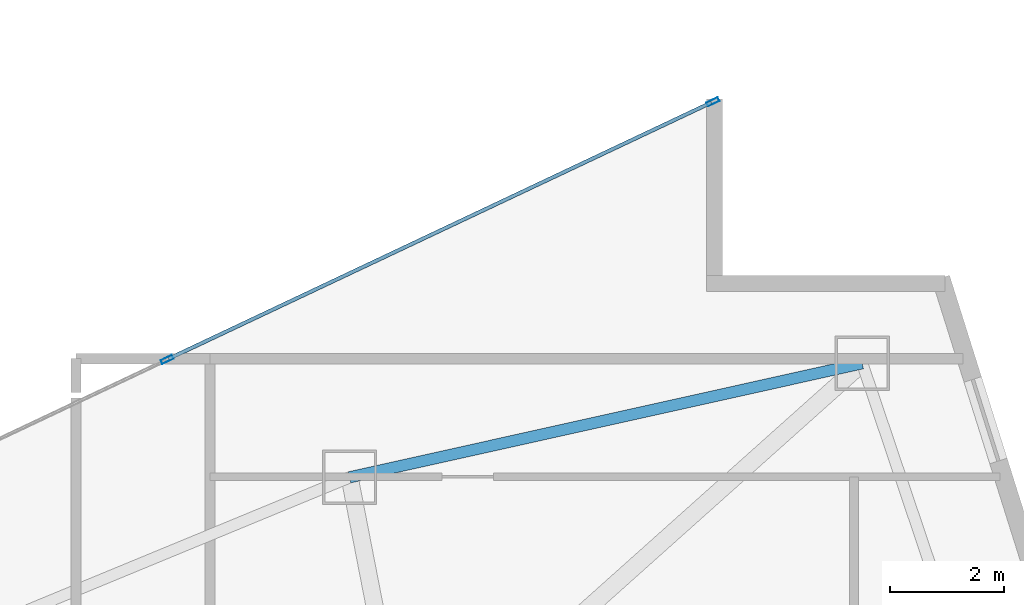
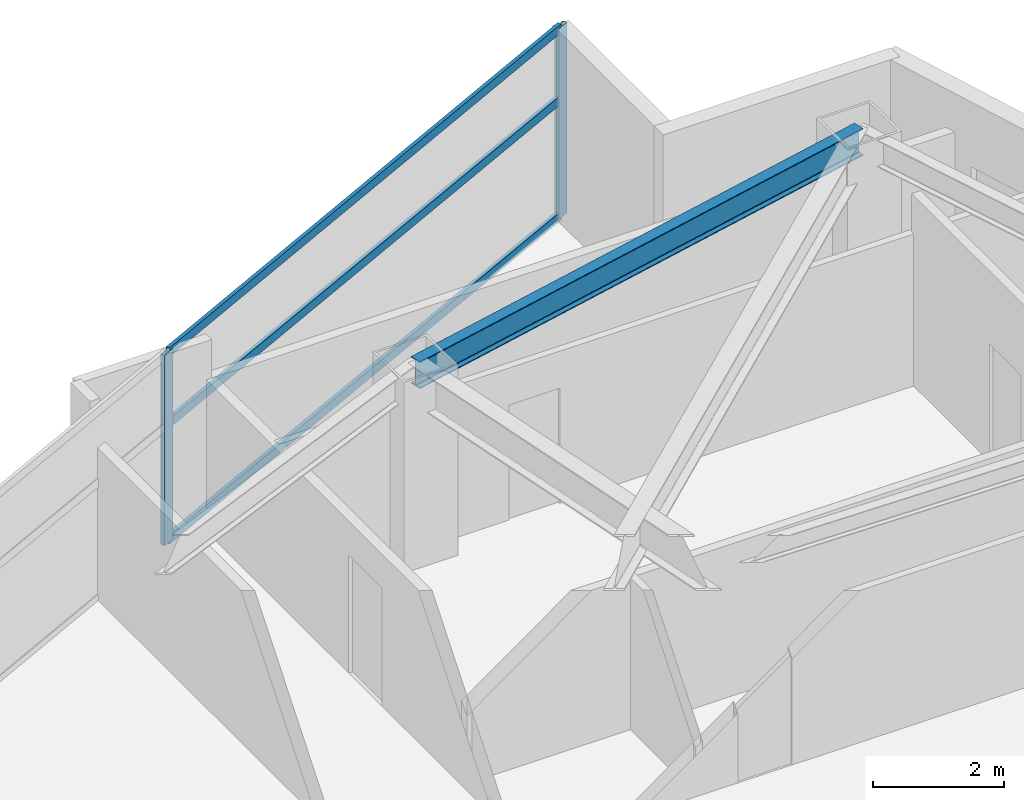
# One storey, part 20 of 29: 5 members, 1 beam, 1 element without a shape of its own.
"""IFC4 building model written with IfcOpenShell, lengths in metres."""

from ifc_helpers import new_model, si_unit, direction, frame, origin, origin_2d, place, context, subcontext, project, spatial, hollow_rectangle, i_section, extrude, material, layer, layer_set, material_profile, profile_set, type_object, element, aggregate, save


model = new_model("IFC4")

# Units and contexts
model_context = context("Model", 3, precision=1e-05, world=origin(), true_north=direction((0.0, 1.0)))
body_context = subcontext(model_context, "Body", "Model", "MODEL_VIEW")
ifc_project = project(units=[si_unit("LENGTHUNIT", "METRE"), si_unit("AREAUNIT", "SQUARE_METRE"), si_unit("VOLUMEUNIT", "CUBIC_METRE"), si_unit("PLANEANGLEUNIT", "RADIAN"), si_unit("MASSUNIT", "GRAM", prefix="KILO")], contexts=[model_context])

# Site, building, storey
site_placement = place(None, origin())
site = spatial("IfcSite", under=ifc_project, at=site_placement, CompositionType="ELEMENT")
building_placement = place(site_placement, origin())
building = spatial("IfcBuilding", under=site, at=building_placement, Name="Calvorn Quay Hotel", CompositionType="ELEMENT")
storey_placement = place(building_placement, frame((0.0, 0.0, 58.39990234375)))
storey = spatial("IfcBuildingStorey", under=building, at=storey_placement, Name="L13", CompositionType="ELEMENT", Elevation=58.39990234375)

# Beam
ifc_material_1 = material(Name="Steel Q355B", Category="steel")
ifc_material_profile_1 = material_profile(ifc_material_1, i_section(OverallWidth=0.199951171875, OverallDepth=0.5, WebThickness=0.010009765625, FlangeThickness=0.01611328125, FilletRadius=0.01611328125, at=origin_2d()), Name="HN500x200x10x16")
ifc_profile_set_1 = profile_set([ifc_material_profile_1], Name="Steel Q355B")
beam_type = type_object("IfcBeamType", Name="BM-SPANDREL-Z1", PredefinedType="SPANDREL", material=ifc_profile_set_1)
beam_placement = place(storey_placement, frame((52.990966796875, 33.39990234375, 3.2900390625), z_axis=(-0.976140886259, -0.217138136156, 0.0), x_axis=(0.217138136156, -0.976140886259, 0.0)))
element("IfcBeam", 1, at=beam_placement, inside=storey, type_object=beam_type, Name="Beam BSP-L13-E3", PredefinedType="SPANDREL", context=body_context, shape_type="SweptSolid", body=[
    extrude(i_section(OverallWidth=0.199951171875, OverallDepth=0.5, WebThickness=0.010009765625, FlangeThickness=0.01611328125, FilletRadius=0.01611328125, at=origin_2d()), origin(), (0.0, 0.0, 1.0), 9.210693359375),
])

# Curtain wall, members
ifc_material_2 = material(Name="Pale Anodised Aluminium and Low-E Glass", Category="aluminium")
ifc_layer = layer(ifc_material_2, 0.219970703125)
ifc_layer_set = layer_set([ifc_layer], Name="CW-SYS-Z1")
curtain_wall_type = type_object("IfcCurtainWallType", Name="CW-SYS-Z1", PredefinedType="NOTDEFINED", material=ifc_layer_set)
curtain_wall_placement = place(storey_placement, origin())
curtain_wall = element("IfcCurtainWall", 2, at=curtain_wall_placement, inside=storey, type_object=curtain_wall_type, Name="Inner Court Curtain Wall L13-NE1", PredefinedType="NOTDEFINED")
ifc_material_3 = material(Name="Pale Anodised Aluminium 6063-T6", Category="aluminium")
ifc_material_profile_2 = material_profile(ifc_material_3, hollow_rectangle(XDim=0.074951171875, YDim=0.219970703125, WallThickness=0.00439453125, at=origin_2d()), Name="ALU-M220x75x4.5")
ifc_profile_set_2 = profile_set([ifc_material_profile_2], Name="Pale Anodised Aluminium 6063-T6")
member_type_1 = type_object("IfcMemberType", Name="CW-SYS-Z1-MUL", PredefinedType="MULLION", material=ifc_profile_set_2)
member_1_placement = place(storey_placement, frame((50.372802734375, 37.9873046875, 0.0), z_axis=(0.0, 0.0, 1.0), x_axis=(0.427006305415, -0.904248646743, 0.0)))
member_1 = element("IfcMember", 3, at=member_1_placement, type_object=member_type_1, Name="CW-L13-NE1 mullion 1", PredefinedType="MULLION", context=body_context, shape_type="SweptSolid", body=[
    extrude(hollow_rectangle(XDim=0.074951171875, YDim=0.219970703125, WallThickness=0.00439453125, at=origin_2d()), origin(), (0.0, 0.0, 1.0), 3.56005859375),
])
member_2_placement = place(storey_placement, frame((40.800048828125, 33.466552734375, 0.0), z_axis=(0.0, 0.0, 1.0), x_axis=(0.427006305415, -0.904248646743, 0.0)))
member_2 = element("IfcMember", 4, at=member_2_placement, type_object=member_type_1, Name="CW-L13-NE1 mullion 2", PredefinedType="MULLION", context=body_context, shape_type="SweptSolid", body=[
    extrude(hollow_rectangle(XDim=0.074951171875, YDim=0.219970703125, WallThickness=0.00439453125, at=origin_2d()), origin(), (0.0, 0.0, 1.0), 3.56005859375),
])
ifc_material_4 = material(Name="Pale Anodised Aluminium 6063-T6", Category="aluminium")
ifc_material_profile_3 = material_profile(ifc_material_4, hollow_rectangle(XDim=0.06494140625, YDim=0.1650390625, WallThickness=0.00341796875, at=origin_2d()), Name="ALU-T165x65x3.5")
ifc_profile_set_3 = profile_set([ifc_material_profile_3], Name="Pale Anodised Aluminium 6063-T6")
member_type_2 = type_object("IfcMemberType", Name="CW-SYS-Z1-TRN", PredefinedType="USERDEFINED", material=ifc_profile_set_3)
member_3_placement = place(storey_placement, frame((50.345703125, 37.974365234375, 0.030029296875), z_axis=(-0.904248646746, -0.427006305408, 0.0), x_axis=(0.427006305408, -0.904248646746, 0.0)))
member_3 = element("IfcMember", 5, at=member_3_placement, type_object=member_type_2, Name="CW-L13-NE1 transom 1.1", ObjectType="TRANSOM", PredefinedType="USERDEFINED", context=body_context, shape_type="SweptSolid", body=[
    extrude(hollow_rectangle(XDim=0.06494140625, YDim=0.1650390625, WallThickness=0.00341796875, at=origin_2d()), origin(), (0.0, 0.0, 1.0), 10.5263671875),
])
member_4_placement = place(storey_placement, frame((50.345703125, 37.974365234375, 2.2001953125), z_axis=(-0.904248646746, -0.427006305408, 0.0), x_axis=(0.427006305408, -0.904248646746, 0.0)))
member_4 = element("IfcMember", 6, at=member_4_placement, type_object=member_type_2, Name="CW-L13-NE1 transom 1.2", ObjectType="TRANSOM", PredefinedType="USERDEFINED", context=body_context, shape_type="SweptSolid", body=[
    extrude(hollow_rectangle(XDim=0.06494140625, YDim=0.1650390625, WallThickness=0.00341796875, at=origin_2d()), origin(), (0.0, 0.0, 1.0), 10.5263671875),
])
member_5_placement = place(storey_placement, frame((50.345703125, 37.974365234375, 3.530029296875), z_axis=(-0.904248646746, -0.427006305408, 0.0), x_axis=(0.427006305408, -0.904248646746, 0.0)))
member_5 = element("IfcMember", 7, at=member_5_placement, type_object=member_type_2, Name="CW-L13-NE1 transom 1.3", ObjectType="TRANSOM", PredefinedType="USERDEFINED", context=body_context, shape_type="SweptSolid", body=[
    extrude(hollow_rectangle(XDim=0.06494140625, YDim=0.1650390625, WallThickness=0.00341796875, at=origin_2d()), origin(), (0.0, 0.0, 1.0), 10.5263671875),
])
aggregate(curtain_wall, [member_1, member_2, member_3, member_4, member_5])

save(model, "model.ifc")
